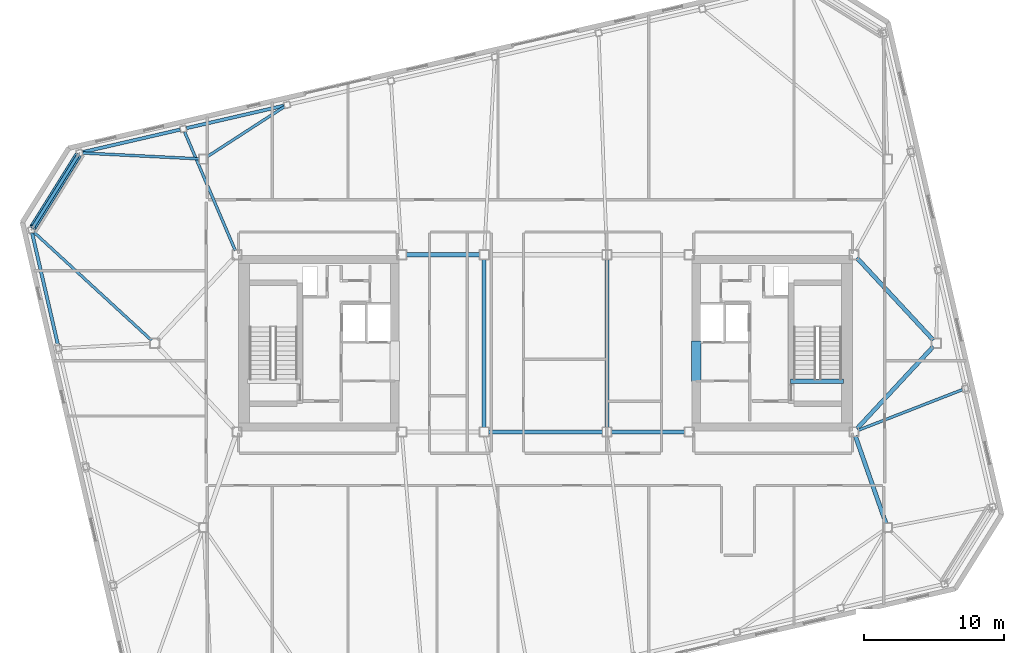
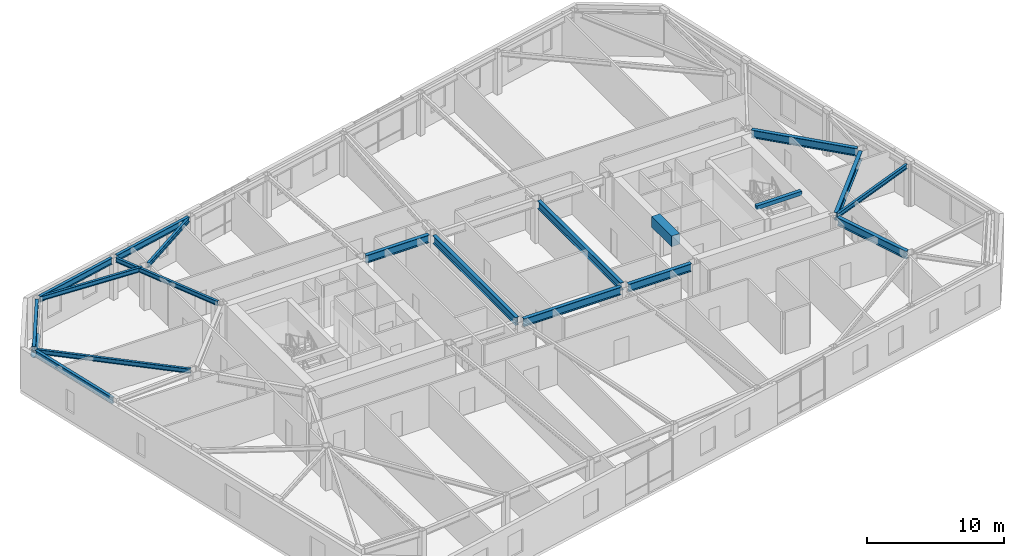
# One storey, part 11 of 23: 19 beams, 1 member.
"""IFC4 building model written with IfcOpenShell, lengths in metres."""

from ifc_helpers import new_model, si_unit, direction, frame, origin, origin_2d, place, context, subcontext, project, spatial, rectangle, hollow_circle, i_section, extrude, material, material_profile, profile_set, type_object, element, save


model = new_model("IFC4")

# Units and contexts
model_context = context("Model", 3, precision=1e-05, world=origin(), true_north=direction((0.0, 1.0)))
body_context = subcontext(model_context, "Body", "Model", "MODEL_VIEW")
ifc_project = project(units=[si_unit("LENGTHUNIT", "METRE"), si_unit("AREAUNIT", "SQUARE_METRE"), si_unit("VOLUMEUNIT", "CUBIC_METRE"), si_unit("PLANEANGLEUNIT", "RADIAN"), si_unit("MASSUNIT", "GRAM", prefix="KILO")], contexts=[model_context])

# Site, building, storey
site_placement = place(None, origin())
site = spatial("IfcSite", under=ifc_project, at=site_placement, CompositionType="ELEMENT")
building_placement = place(site_placement, origin())
building = spatial("IfcBuilding", under=site, at=building_placement, Name="Tavrogorsk Clinical Tower", CompositionType="ELEMENT")
storey_placement = place(building_placement, frame((0.0, 0.0, 301.0)))
storey = spatial("IfcBuildingStorey", under=building, at=storey_placement, Name="L70", CompositionType="ELEMENT", Elevation=301.0)

# Beam
ifc_material_1 = material(Name="Concrete B80", Category="concrete")
ifc_material_profile_1 = material_profile(ifc_material_1, rectangle(XDim=0.699951171875, YDim=0.949951171875, at=origin_2d()), Name="RC-CB-700x950")
ifc_profile_set_1 = profile_set([ifc_material_profile_1], Name="Concrete B80")
beam_type_1 = type_object("IfcBeamType", Name="CouplingBeam_RC700x950", PredefinedType="LINTEL", material=ifc_profile_set_1)
beam_1_placement = place(storey_placement, frame((10.800048828125, -2.75, 3.264892578125), z_axis=(0.0, 1.0, 0.0), x_axis=(-1.0, 0.0, 0.0)))
element("IfcBeam", 1, at=beam_1_placement, inside=storey, type_object=beam_type_1, Name="L70 Core East Coupling Beam", PredefinedType="LINTEL", context=body_context, shape_type="SweptSolid", body=[
    extrude(rectangle(XDim=0.699951171875, YDim=0.949951171875, at=origin_2d()), origin(), (0.0, 0.0, 1.0), 2.89990234375),
])

# Member
ifc_material_2 = material(Name="Structural steel S440", Category="steel")
ifc_material_profile_2 = material_profile(ifc_material_2, hollow_circle(Radius=0.25390625, WallThickness=0.02001953125, at=origin_2d()), Name="CHS-508x20")
ifc_profile_set_2 = profile_set([ifc_material_profile_2], Name="Structural steel S440")
member_type = type_object("IfcMemberType", Name="ExoBrace_CHS508", PredefinedType="BRACE", material=ifc_profile_set_2)
member_placement = place(storey_placement, frame((-33.501708984375, 13.4638671875, 0.393310546875), z_axis=(-0.485643868835, -0.777221605895, 0.400095748531), x_axis=(0.848056967697, -0.529905066536, 0.0)))
element("IfcMember", 2, at=member_placement, inside=storey, type_object=member_type, Name="L70 Corner Exoskeleton Brace N8-W1", PredefinedType="BRACE", context=body_context, shape_type="SweptSolid", body=[
    extrude(hollow_circle(Radius=0.25390625, WallThickness=0.02001953125, at=origin_2d()), origin(), (0.0, 0.0, 1.0), 6.63232421875),
])

# Beams
ifc_material_3 = material(Name="Structural steel S355", Category="steel")
ifc_material_profile_3 = material_profile(ifc_material_3, i_section(OverallWidth=0.199951171875, OverallDepth=0.39990234375, WebThickness=0.010498046875, FlangeThickness=0.01611328125, at=origin_2d()), Name="B-400x200x10.5x16")
ifc_profile_set_3 = profile_set([ifc_material_profile_3], Name="Structural steel S355")
beam_type_2 = type_object("IfcBeamType", Name="FloorBeam_B400", PredefinedType="BEAM", material=ifc_profile_set_3)
beam_2_placement = place(storey_placement, frame((-24.23974609375, 13.36865234375, 3.5400390625), z_axis=(0.839287867478, 0.543687295699, 0.0), x_axis=(-0.543687295699, 0.839287867478, 0.0)))
element("IfcBeam", 3, at=beam_2_placement, inside=storey, type_object=beam_type_2, Name="L70 Radial Floor Beam N6", PredefinedType="BEAM", context=body_context, shape_type="SweptSolid", body=[
    extrude(i_section(OverallWidth=0.199951171875, OverallDepth=0.39990234375, WebThickness=0.010498046875, FlangeThickness=0.01611328125, at=origin_2d()), origin(), (0.0, 0.0, 1.0), 6.592529296875),
])
beam_3_placement = place(storey_placement, frame((-22.2216796875, 6.635009765625, 3.5400390625), z_axis=(-0.392852744382, 0.919601392578, 0.0), x_axis=(-0.919601392578, -0.392852744382, 0.0)))
element("IfcBeam", 4, at=beam_3_placement, inside=storey, type_object=beam_type_2, Name="L70 Radial Floor Beam N7", PredefinedType="BEAM", context=body_context, shape_type="SweptSolid", body=[
    extrude(i_section(OverallWidth=0.199951171875, OverallDepth=0.39990234375, WebThickness=0.010498046875, FlangeThickness=0.01611328125, at=origin_2d()), origin(), (0.0, 0.0, 1.0), 9.25732421875),
])
beam_4_placement = place(storey_placement, frame((-24.8095703125, 13.215576171875, 3.5400390625), z_axis=(-0.998749933549, 0.049985700304, 0.0), x_axis=(-0.049985700304, -0.998749933549, 0.0)))
element("IfcBeam", 5, at=beam_4_placement, inside=storey, type_object=beam_type_2, Name="L70 Radial Floor Beam N8", PredefinedType="BEAM", context=body_context, shape_type="SweptSolid", body=[
    extrude(i_section(OverallWidth=0.199951171875, OverallDepth=0.39990234375, WebThickness=0.010498046875, FlangeThickness=0.01611328125, at=origin_2d()), origin(), (0.0, 0.0, 1.0), 8.35693359375),
])
beam_5_placement = place(storey_placement, frame((22.388916015625, -6.237548828125, 3.5400390625), z_axis=(0.931736989786, 0.363133834647, 0.0), x_axis=(-0.363133834647, 0.931736989786, 0.0)))
element("IfcBeam", 6, at=beam_5_placement, inside=storey, type_object=beam_type_2, Name="L70 Radial Floor Beam E2", PredefinedType="BEAM", context=body_context, shape_type="SweptSolid", body=[
    extrude(i_section(OverallWidth=0.199951171875, OverallDepth=0.39990234375, WebThickness=0.010498046875, FlangeThickness=0.01611328125, at=origin_2d()), origin(), (0.0, 0.0, 1.0), 8.01806640625),
])
beam_6_placement = place(storey_placement, frame((-28.228271484375, 0.2099609375, 3.5400390625), z_axis=(-0.735959452605, 0.677025615557, 0.0), x_axis=(-0.677025615557, -0.735959452605, 0.0)))
element("IfcBeam", 7, at=beam_6_placement, inside=storey, type_object=beam_type_2, Name="L70 Radial Floor Beam W1", PredefinedType="BEAM", context=body_context, shape_type="SweptSolid", body=[
    extrude(i_section(OverallWidth=0.199951171875, OverallDepth=0.39990234375, WebThickness=0.010498046875, FlangeThickness=0.01611328125, at=origin_2d()), origin(), (0.0, 0.0, 1.0), 11.462646484375),
])
ifc_material_4 = material(Name="Structural steel S390", Category="steel")
ifc_material_profile_4 = material_profile(ifc_material_4, i_section(OverallWidth=0.300048828125, OverallDepth=0.699951171875, WebThickness=0.01708984375, FlangeThickness=0.028076171875, at=origin_2d()), Name="B-700x300x17x28")
ifc_profile_set_4 = profile_set([ifc_material_profile_4], Name="Structural steel S390")
beam_type_3 = type_object("IfcBeamType", Name="PrimaryGirder_B700", PredefinedType="USERDEFINED", material=ifc_profile_set_4)
beam_7_placement = place(storey_placement, frame((-9.989990234375, 6.35009765625, 3.389892578125), z_axis=(1.0, 0.0, 0.0), x_axis=(0.0, 1.0, 0.0)))
element("IfcBeam", 8, at=beam_7_placement, inside=storey, type_object=beam_type_3, Name="L70 Primary Spine Girder MG-02", ObjectType="GIRDER", PredefinedType="USERDEFINED", context=body_context, shape_type="SweptSolid", body=[
    extrude(i_section(OverallWidth=0.300048828125, OverallDepth=0.699951171875, WebThickness=0.01708984375, FlangeThickness=0.028076171875, at=origin_2d()), origin(), (0.0, 0.0, 1.0), 5.280029296875),
])
beam_8_placement = place(storey_placement, frame((-4.090087890625, -6.35009765625, 3.389892578125), z_axis=(1.0, 0.0, 0.0), x_axis=(0.0, 1.0, 0.0)))
element("IfcBeam", 9, at=beam_8_placement, inside=storey, type_object=beam_type_3, Name="L70 Primary Spine Girder MG-03", ObjectType="GIRDER", PredefinedType="USERDEFINED", context=body_context, shape_type="SweptSolid", body=[
    extrude(i_section(OverallWidth=0.300048828125, OverallDepth=0.699951171875, WebThickness=0.01708984375, FlangeThickness=0.028076171875, at=origin_2d()), origin(), (0.0, 0.0, 1.0), 8.18017578125),
])
beam_9_placement = place(storey_placement, frame((4.7099609375, -6.35009765625, 3.389892578125), z_axis=(1.0, 0.0, 0.0), x_axis=(0.0, 1.0, 0.0)))
element("IfcBeam", 10, at=beam_9_placement, inside=storey, type_object=beam_type_3, Name="L70 Primary Spine Girder MG-05", ObjectType="GIRDER", PredefinedType="USERDEFINED", context=body_context, shape_type="SweptSolid", body=[
    extrude(i_section(OverallWidth=0.300048828125, OverallDepth=0.699951171875, WebThickness=0.01708984375, FlangeThickness=0.028076171875, at=origin_2d()), origin(), (0.0, 0.0, 1.0), 5.280029296875),
])
for number, where, z_axis, x_axis, name in (
    (11, (-4.39990234375, -6.0400390625, 3.389892578125), (0.0, 1.0, 0.0), (-1.0, 0.0, 0.0), "L70 Primary Spine Girder MG-07"),
    (12, (4.39990234375, -6.0400390625, 3.389892578125), (0.0, 1.0, 0.0), (-1.0, 0.0, 0.0), "L70 Primary Spine Girder MG-08"),
):
    element("IfcBeam", number, at=place(storey_placement, frame(where, z_axis=z_axis, x_axis=x_axis)), inside=storey, type_object=beam_type_3, Name=name, ObjectType="GIRDER", PredefinedType="USERDEFINED", context=body_context, shape_type="SweptSolid", body=[
        extrude(i_section(OverallWidth=0.300048828125, OverallDepth=0.699951171875, WebThickness=0.01708984375, FlangeThickness=0.028076171875, at=origin_2d()), origin(), (0.0, 0.0, 1.0), 12.080078125),
    ])
beam_10_placement = place(storey_placement, frame((24.3974609375, -12.907470703125, 3.389892578125), z_axis=(-0.330666578092, 0.943747643246, 0.0), x_axis=(-0.943747643246, -0.330666578092, 0.0)))
element("IfcBeam", 13, at=beam_10_placement, inside=storey, type_object=beam_type_3, Name="L70 Spine Link Girder OPG-2", ObjectType="GIRDER", PredefinedType="USERDEFINED", context=body_context, shape_type="SweptSolid", body=[
    extrude(i_section(OverallWidth=0.300048828125, OverallDepth=0.699951171875, WebThickness=0.01708984375, FlangeThickness=0.028076171875, at=origin_2d()), origin(), (0.0, 0.0, 1.0), 6.638427734375),
])
for number, where, z_axis, x_axis, name in (
    (14, (27.7890625, -0.22705078125, 3.389892578125), (-0.680677963005, -0.732582767119, 0.0), (0.732582767119, -0.680677963005, 0.0), "L70 Spine Link Girder OPG-7"),
    (15, (27.7890625, 0.22705078125, 3.389892578125), (-0.680677963005, 0.732582767119, 0.0), (-0.732582767119, -0.680677963005, 0.0), "L70 Spine Link Girder OPG-8"),
):
    element("IfcBeam", number, at=place(storey_placement, frame(where, z_axis=z_axis, x_axis=x_axis)), inside=storey, type_object=beam_type_3, Name=name, ObjectType="GIRDER", PredefinedType="USERDEFINED", context=body_context, shape_type="SweptSolid", body=[
        extrude(i_section(OverallWidth=0.300048828125, OverallDepth=0.699951171875, WebThickness=0.01708984375, FlangeThickness=0.028076171875, at=origin_2d()), origin(), (0.0, 0.0, 1.0), 8.0478515625),
    ])
ifc_material_5 = material(Name="Structural steel S390", Category="steel")
ifc_material_profile_5 = material_profile(ifc_material_5, i_section(OverallWidth=0.239990234375, OverallDepth=0.550048828125, WebThickness=0.013916015625, FlangeThickness=0.02197265625, at=origin_2d()), Name="B-550x240x14x22")
ifc_profile_set_5 = profile_set([ifc_material_profile_5], Name="Structural steel S390")
beam_type_4 = type_object("IfcBeamType", Name="SpandrelBeam_B550", PredefinedType="SPANDREL", material=ifc_profile_set_5)
beam_11_placement = place(storey_placement, frame((-18.73828125, 17.027099609375, 3.465087890625), z_axis=(-0.97437684326, -0.224921691527, 0.0), x_axis=(0.224921691527, -0.97437684326, 0.0)))
element("IfcBeam", 16, at=beam_11_placement, inside=storey, type_object=beam_type_4, Name="L70 Perimeter Spandrel N6-N7", PredefinedType="SPANDREL", context=body_context, shape_type="SweptSolid", body=[
    extrude(i_section(OverallWidth=0.239990234375, OverallDepth=0.550048828125, WebThickness=0.013916015625, FlangeThickness=0.02197265625, at=origin_2d()), origin(), (0.0, 0.0, 1.0), 7.168212890625),
])
beam_12_placement = place(storey_placement, frame((-26.177001953125, 15.309814453125, 3.465087890625), z_axis=(-0.974369378592, -0.224954026551, 0.0), x_axis=(0.224954026551, -0.974369378592, 0.0)))
element("IfcBeam", 17, at=beam_12_placement, inside=storey, type_object=beam_type_4, Name="L70 Perimeter Spandrel N7-N8", PredefinedType="SPANDREL", context=body_context, shape_type="SweptSolid", body=[
    extrude(i_section(OverallWidth=0.239990234375, OverallDepth=0.550048828125, WebThickness=0.013916015625, FlangeThickness=0.02197265625, at=origin_2d()), origin(), (0.0, 0.0, 1.0), 7.16845703125),
])
beam_13_placement = place(storey_placement, frame((-33.511962890625, 13.447265625, 3.465087890625), z_axis=(-0.529933531413, -0.848039180866, 0.0), x_axis=(0.848039180866, -0.529933531413, 0.0)))
element("IfcBeam", 18, at=beam_13_placement, inside=storey, type_object=beam_type_4, Name="L70 Perimeter Spandrel N8-W1", PredefinedType="SPANDREL", context=body_context, shape_type="SweptSolid", body=[
    extrude(i_section(OverallWidth=0.239990234375, OverallDepth=0.550048828125, WebThickness=0.013916015625, FlangeThickness=0.02197265625, at=origin_2d()), origin(), (0.0, 0.0, 1.0), 6.039306640625),
])
beam_14_placement = place(storey_placement, frame((-36.783447265625, 7.901123046875, 3.465087890625), z_axis=(0.224950345141, -0.974370228517, 0.0), x_axis=(0.974370228517, 0.224950345141, 0.0)))
element("IfcBeam", 19, at=beam_14_placement, inside=storey, type_object=beam_type_4, Name="L70 Perimeter Spandrel W1-W2", PredefinedType="SPANDREL", context=body_context, shape_type="SweptSolid", body=[
    extrude(i_section(OverallWidth=0.239990234375, OverallDepth=0.550048828125, WebThickness=0.013916015625, FlangeThickness=0.02197265625, at=origin_2d()), origin(), (0.0, 0.0, 1.0), 8.243896484375),
])
ifc_material_6 = material(Name="Concrete B60", Category="concrete")
ifc_material_profile_6 = material_profile(ifc_material_6, rectangle(XDim=0.300048828125, YDim=0.35009765625, at=origin_2d()), Name="RC-SHB-300x350")
ifc_profile_set_6 = profile_set([ifc_material_profile_6], Name="Concrete B60")
beam_type_5 = type_object("IfcBeamType", Name="StairHeaderBeam_RC300x350", PredefinedType="BEAM", material=ifc_profile_set_6)
beam_15_placement = place(storey_placement, frame((17.550048828125, -2.719970703125, 3.824951171875), z_axis=(1.0, 0.0, 0.0), x_axis=(0.0, 1.0, 0.0)))
element("IfcBeam", 20, at=beam_15_placement, inside=storey, type_object=beam_type_5, Name="L71 ST-E Landing Header Beam", PredefinedType="BEAM", context=body_context, shape_type="SweptSolid", body=[
    extrude(rectangle(XDim=0.300048828125, YDim=0.35009765625, at=origin_2d()), origin(), (0.0, 0.0, 1.0), 3.800048828125),
])

save(model, "model.ifc")
